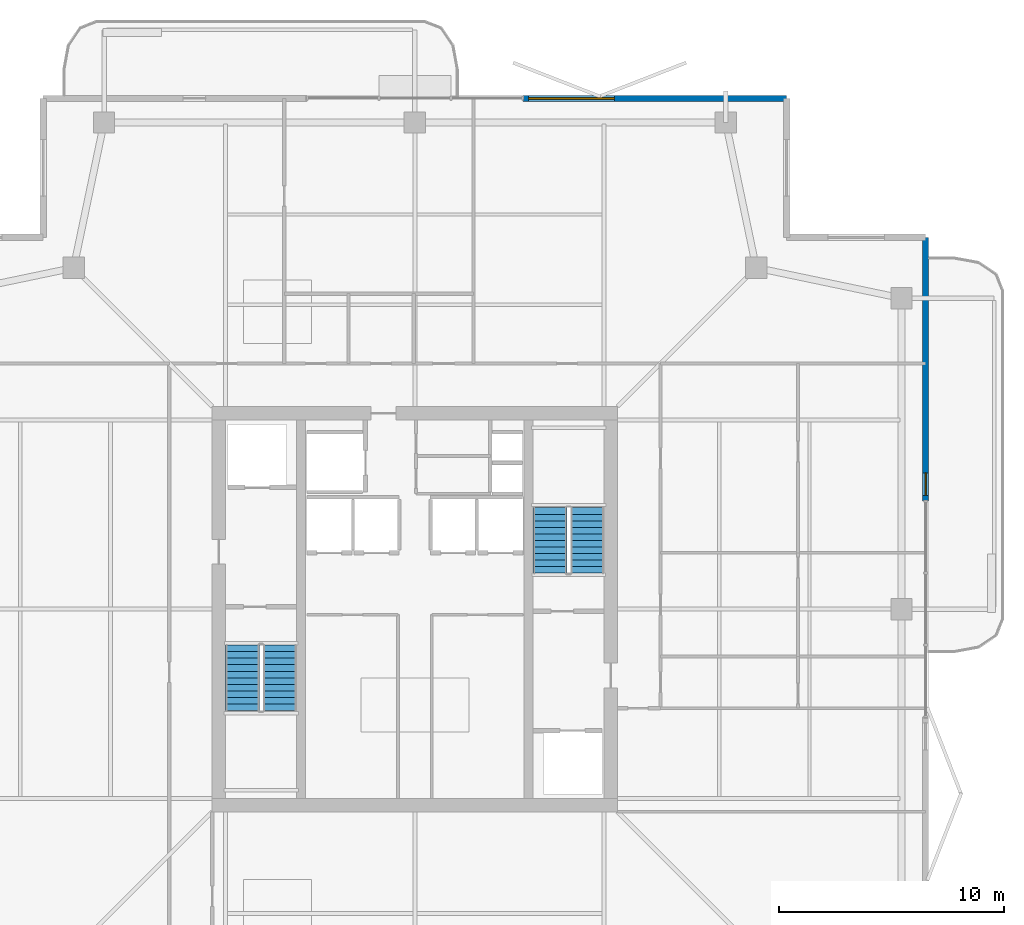
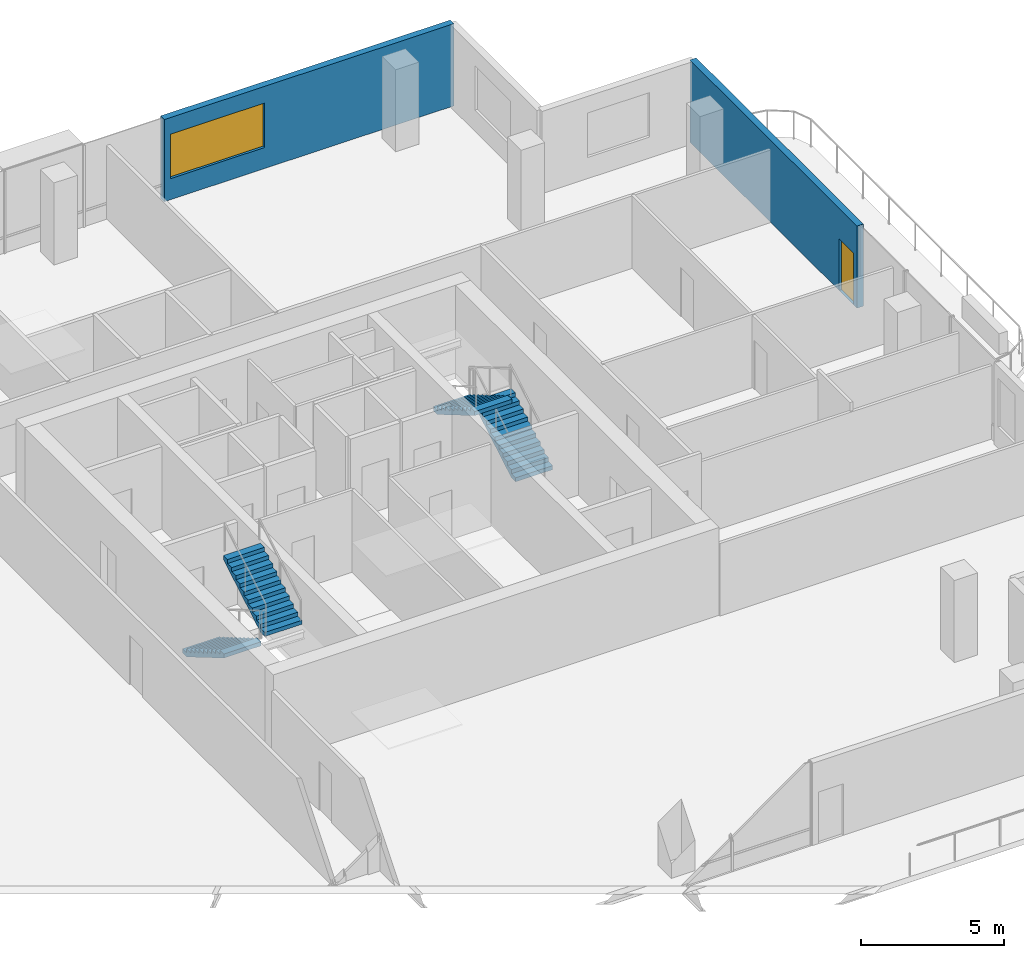
# One storey, part 15 of 18: 4 stair flights, 2 walls, 1 door, 1 window, 2 openings, 2 elements without a shape of their own.
"""IFC4 building model written with IfcOpenShell, lengths in metres."""

from ifc_helpers import new_model, si_unit, direction, frame, frame_2d, origin, place, context, subcontext, project, spatial, polyline, rectangle, outline, extrude, material, layer, layer_set, type_object, element, fill, aggregate, save


model = new_model("IFC4")

# Units and contexts
model_context = context("Model", 3, precision=1e-05, world=origin(), true_north=direction((0.0, 1.0)))
body_context = subcontext(model_context, "Body", "Model", "MODEL_VIEW")
ifc_project = project(units=[si_unit("LENGTHUNIT", "METRE"), si_unit("AREAUNIT", "SQUARE_METRE"), si_unit("VOLUMEUNIT", "CUBIC_METRE"), si_unit("PLANEANGLEUNIT", "RADIAN"), si_unit("MASSUNIT", "GRAM", prefix="KILO")], contexts=[model_context])

# Site, building, storey
site_placement = place(None, origin())
site = spatial("IfcSite", under=ifc_project, at=site_placement, CompositionType="ELEMENT")
building_placement = place(site_placement, origin())
building = spatial("IfcBuilding", under=site, at=building_placement, Name="Belovzor Exchange Tower", CompositionType="ELEMENT")
storey_placement = place(building_placement, frame((0.0, 0.0, 318.0)))
storey = spatial("IfcBuildingStorey", under=building, at=storey_placement, Name="L79", CompositionType="ELEMENT", Elevation=318.0)

# Wall, opening, window
ifc_material_1 = material(Name="Precast concrete C40/50", Category="concrete")
ifc_layer = layer(ifc_material_1, 0.260009765625)
ifc_layer_set = layer_set([ifc_layer], Name="Precast concrete C40/50")
wall_type = type_object("IfcWallType", Name="Precast Concrete Perimeter Loggia Frame Wall 260", PredefinedType="SOLIDWALL", material=ifc_layer_set)
wall_1_placement = place(storey_placement, frame((33.60009765625, 51.469970703125, 0.0), z_axis=(0.0, 0.0, 1.0), x_axis=(1.0, 0.0, 0.0)))
wall_1 = element("IfcWall", 1, at=wall_1_placement, inside=storey, type_object=wall_type, Name="W-EXT260 Precast Concrete Perimeter Loggia Frame Wall 260 L79", PredefinedType="SOLIDWALL", context=body_context, shape_type="SweptSolid", body=[
    extrude(rectangle(XDim=11.699951171875, YDim=0.260009765625, at=frame_2d((5.85009765625, 0.0))), origin(), (0.0, 0.0, 1.0), 3.510009765625),
])
opening_1_placement = place(wall_1_placement, frame((0.25, 0.0, 0.89990234375)))
opening_1 = element("IfcOpeningElement", 2, at=opening_1_placement, cuts=wall_1, Name="Opening WN-RIB380", PredefinedType="OPENING", context=body_context, shape_type="SweptSolid", body=[
    extrude(rectangle(XDim=3.800048828125, YDim=1.89990234375, at=frame_2d((1.89990234375, 0.949951171875))), frame((0.0, 0.139892578125, 0.0), z_axis=(0.0, -1.0, 0.0), x_axis=(1.0, 0.0, 0.0)), (0.0, 0.0, 1.0), 0.280029296875),
])
ifc_material_2 = material(Name="Thermally Broken Aluminium and Triple Glazing", Category="aluminium")
window_type = type_object("IfcWindowType", Name="Streamline Moderne Horizontal Ribbon Window 3800x1900", PartitioningType="SINGLE_PANEL", PredefinedType="WINDOW", material=ifc_material_2)
window_placement = place(opening_1_placement, origin())
window = element("IfcWindow", 3, at=window_placement, inside=storey, type_object=window_type, Name="WN-RIB380 Streamline Moderne Horizontal Ribbon Window 3800x1900", OverallHeight=1.89990234375, OverallWidth=3.800048828125, PartitioningType="SINGLE_PANEL", PredefinedType="WINDOW", context=body_context, shape_type="SweptSolid", body=[
    extrude(rectangle(XDim=3.800048828125, YDim=1.89990234375, at=frame_2d((1.89990234375, 0.949951171875))), frame((0.0, 0.030029296875, 0.0), z_axis=(0.0, -1.0, 0.0), x_axis=(1.0, 0.0, 0.0)), (0.0, 0.0, 1.0), 0.06005859375),
])
fill(opening_1, window)

# Wall, opening, door
wall_2_placement = place(storey_placement, frame((51.469970703125, 45.300048828125, 0.0), z_axis=(0.0, 0.0, 1.0), x_axis=(0.0, -1.0, 0.0)))
wall_2 = element("IfcWall", 4, at=wall_2_placement, inside=storey, type_object=wall_type, Name="W-EXT260 Precast Concrete Perimeter Loggia Frame Wall 260 L79", PredefinedType="SOLIDWALL", context=body_context, shape_type="SweptSolid", body=[
    extrude(rectangle(XDim=11.699951171875, YDim=0.260009765625, at=frame_2d((5.85009765625, 0.0))), origin(), (0.0, 0.0, 1.0), 3.510009765625),
])
opening_2_placement = place(wall_2_placement, frame((10.449951171875, 0.0, 0.0)))
opening_2 = element("IfcOpeningElement", 5, at=opening_2_placement, cuts=wall_2, Name="Opening D-BAL100", PredefinedType="OPENING", context=body_context, shape_type="SweptSolid", body=[
    extrude(rectangle(XDim=1.0, YDim=2.199951171875, at=frame_2d((0.5, 1.10009765625))), frame((0.0, 0.139892578125, 0.0), z_axis=(0.0, -1.0, 0.0), x_axis=(1.0, 0.0, 0.0)), (0.0, 0.0, 1.0), 0.280029296875),
])
ifc_material_3 = material(Name="Thermally Broken Anodised Aluminium and Laminated Glass", Category="aluminium")
door_type = type_object("IfcDoorType", Name="Planted Loggia Terrace Glazed Door 1000x2200", OperationType="SINGLE_SWING_LEFT", PredefinedType="DOOR", material=ifc_material_3)
door_placement = place(opening_2_placement, origin())
door = element("IfcDoor", 6, at=door_placement, inside=storey, type_object=door_type, Name="D-BAL100 Balcony Terrace Door L79 E", OperationType="SINGLE_SWING_LEFT", OverallHeight=2.199951171875, OverallWidth=1.0, PredefinedType="DOOR", context=body_context, shape_type="SweptSolid", body=[
    extrude(rectangle(XDim=1.0, YDim=2.199951171875, at=frame_2d((0.5, 1.10009765625))), frame((0.0, 0.02490234375, 0.0), z_axis=(0.0, -1.0, 0.0), x_axis=(1.0, 0.0, 0.0)), (0.0, 0.0, 1.0), 0.050048828125),
])
fill(opening_2, door)

# Stair, stair flights
ifc_material_4 = material(Name="Concrete C40/50", Category="concrete")
stair_type = type_object("IfcStairType", Name="Reinforced Concrete Dogleg Escape Stair 1350", PredefinedType="HALF_TURN_STAIR", material=ifc_material_4)
stair_1_placement = place(storey_placement, origin())
stair_1 = element("IfcStair", 7, at=stair_1_placement, inside=storey, type_object=stair_type, Name="L79 ST-1", PredefinedType="HALF_TURN_STAIR")
ifc_material_5 = material(Name="Concrete C40/50", Category="concrete")
stair_flight_type = type_object("IfcStairFlightType", Name="Reinforced Concrete Stair Flight 1350", PredefinedType="STRAIGHT", material=ifc_material_5)
stair_flight_1_placement = place(storey_placement, frame((21.14990234375, 27.199951171875, 0.0), z_axis=(0.0, 0.0, 1.0), x_axis=(0.0, -1.0, 0.0)))
stair_flight_1 = element("IfcStairFlight", 8, at=stair_flight_1_placement, type_object=stair_flight_type, Name="ST-1 flight 1", NumberOfRisers=11, NumberOfTreads=10, PredefinedType="STRAIGHT", RiserHeight=0.170454545, TreadLength=0.29, context=body_context, shape_type="SweptSolid", body=[
    extrude(outline(polyline([(0.0, 0.0), (0.0, 0.17041015625), (0.2900390625, 0.17041015625), (0.2900390625, 0.3408203125), (0.580078125, 0.3408203125), (0.580078125, 0.511474609375), (0.8701171875, 0.511474609375), (0.8701171875, 0.681884765625), (1.159912109375, 0.681884765625), (1.159912109375, 0.852294921875), (1.449951171875, 0.852294921875), (1.449951171875, 1.022705078125), (1.739990234375, 1.022705078125), (1.739990234375, 1.193115234375), (2.030029296875, 1.193115234375), (2.030029296875, 1.363525390625), (2.320068359375, 1.363525390625), (2.320068359375, 1.5341796875), (2.610107421875, 1.5341796875), (2.610107421875, 1.70458984375), (2.89990234375, 1.70458984375), (2.89990234375, 1.875), (2.89990234375, 1.53076171875), (0.2958984375, 0.0), (0.0, 0.0)])), frame((0.0, 0.75, 0.0), z_axis=(0.0, -1.0, 0.0), x_axis=(1.0, 0.0, 0.0)), (0.0, 0.0, 1.0), 1.5),
])
stair_flight_2_placement = place(storey_placement, frame((22.800048828125, 24.300048828125, 1.875), z_axis=(0.0, 0.0, 1.0), x_axis=(0.0, 1.0, 0.0)))
stair_flight_2 = element("IfcStairFlight", 9, at=stair_flight_2_placement, type_object=stair_flight_type, Name="ST-1 flight 2", NumberOfRisers=11, NumberOfTreads=10, PredefinedType="STRAIGHT", RiserHeight=0.170454545, TreadLength=0.29, context=body_context, shape_type="SweptSolid", body=[
    extrude(outline(polyline([(0.0, 0.0), (0.0, 0.17041015625), (0.2900390625, 0.17041015625), (0.2900390625, 0.3408203125), (0.580078125, 0.3408203125), (0.580078125, 0.511474609375), (0.8701171875, 0.511474609375), (0.8701171875, 0.681884765625), (1.159912109375, 0.681884765625), (1.159912109375, 0.852294921875), (1.449951171875, 0.852294921875), (1.449951171875, 1.022705078125), (1.739990234375, 1.022705078125), (1.739990234375, 1.193115234375), (2.030029296875, 1.193115234375), (2.030029296875, 1.363525390625), (2.320068359375, 1.363525390625), (2.320068359375, 1.5341796875), (2.610107421875, 1.5341796875), (2.610107421875, 1.70458984375), (2.89990234375, 1.70458984375), (2.89990234375, 1.875), (2.89990234375, 1.53076171875), (0.2958984375, 0.0), (0.0, 0.0)])), frame((0.0, 0.75, 0.0), z_axis=(0.0, -1.0, 0.0), x_axis=(1.0, 0.0, 0.0)), (0.0, 0.0, 1.0), 1.5),
])
aggregate(stair_1, [stair_flight_1, stair_flight_2])

stair_2_placement = place(storey_placement, origin())
stair_2 = element("IfcStair", 10, at=stair_2_placement, inside=storey, type_object=stair_type, Name="L79 ST-2", PredefinedType="HALF_TURN_STAIR")
stair_flight_3_placement = place(storey_placement, frame((36.449951171875, 30.39990234375, 0.0), z_axis=(0.0, 0.0, 1.0), x_axis=(0.0, 1.0, 0.0)))
stair_flight_3 = element("IfcStairFlight", 11, at=stair_flight_3_placement, type_object=stair_flight_type, Name="ST-2 flight 1", NumberOfRisers=11, NumberOfTreads=10, PredefinedType="STRAIGHT", RiserHeight=0.170454545, TreadLength=0.29, context=body_context, shape_type="SweptSolid", body=[
    extrude(outline(polyline([(0.0, 0.0), (0.0, 0.17041015625), (0.2900390625, 0.17041015625), (0.2900390625, 0.3408203125), (0.580078125, 0.3408203125), (0.580078125, 0.511474609375), (0.8701171875, 0.511474609375), (0.8701171875, 0.681884765625), (1.159912109375, 0.681884765625), (1.159912109375, 0.852294921875), (1.449951171875, 0.852294921875), (1.449951171875, 1.022705078125), (1.739990234375, 1.022705078125), (1.739990234375, 1.193115234375), (2.030029296875, 1.193115234375), (2.030029296875, 1.363525390625), (2.320068359375, 1.363525390625), (2.320068359375, 1.5341796875), (2.610107421875, 1.5341796875), (2.610107421875, 1.70458984375), (2.89990234375, 1.70458984375), (2.89990234375, 1.875), (2.89990234375, 1.53076171875), (0.2958984375, 0.0), (0.0, 0.0)])), frame((0.0, 0.75, 0.0), z_axis=(0.0, -1.0, 0.0), x_axis=(1.0, 0.0, 0.0)), (0.0, 0.0, 1.0), 1.5),
])
stair_flight_4_placement = place(storey_placement, frame((34.800048828125, 33.300048828125, 1.875), z_axis=(0.0, 0.0, 1.0), x_axis=(0.0, -1.0, 0.0)))
stair_flight_4 = element("IfcStairFlight", 12, at=stair_flight_4_placement, type_object=stair_flight_type, Name="ST-2 flight 2", NumberOfRisers=11, NumberOfTreads=10, PredefinedType="STRAIGHT", RiserHeight=0.170454545, TreadLength=0.29, context=body_context, shape_type="SweptSolid", body=[
    extrude(outline(polyline([(0.0, 0.0), (0.0, 0.17041015625), (0.2900390625, 0.17041015625), (0.2900390625, 0.3408203125), (0.580078125, 0.3408203125), (0.580078125, 0.511474609375), (0.8701171875, 0.511474609375), (0.8701171875, 0.681884765625), (1.159912109375, 0.681884765625), (1.159912109375, 0.852294921875), (1.449951171875, 0.852294921875), (1.449951171875, 1.022705078125), (1.739990234375, 1.022705078125), (1.739990234375, 1.193115234375), (2.030029296875, 1.193115234375), (2.030029296875, 1.363525390625), (2.320068359375, 1.363525390625), (2.320068359375, 1.5341796875), (2.610107421875, 1.5341796875), (2.610107421875, 1.70458984375), (2.89990234375, 1.70458984375), (2.89990234375, 1.875), (2.89990234375, 1.53076171875), (0.2958984375, 0.0), (0.0, 0.0)])), frame((0.0, 0.75, 0.0), z_axis=(0.0, -1.0, 0.0), x_axis=(1.0, 0.0, 0.0)), (0.0, 0.0, 1.0), 1.5),
])
aggregate(stair_2, [stair_flight_3, stair_flight_4])

save(model, "model.ifc")
